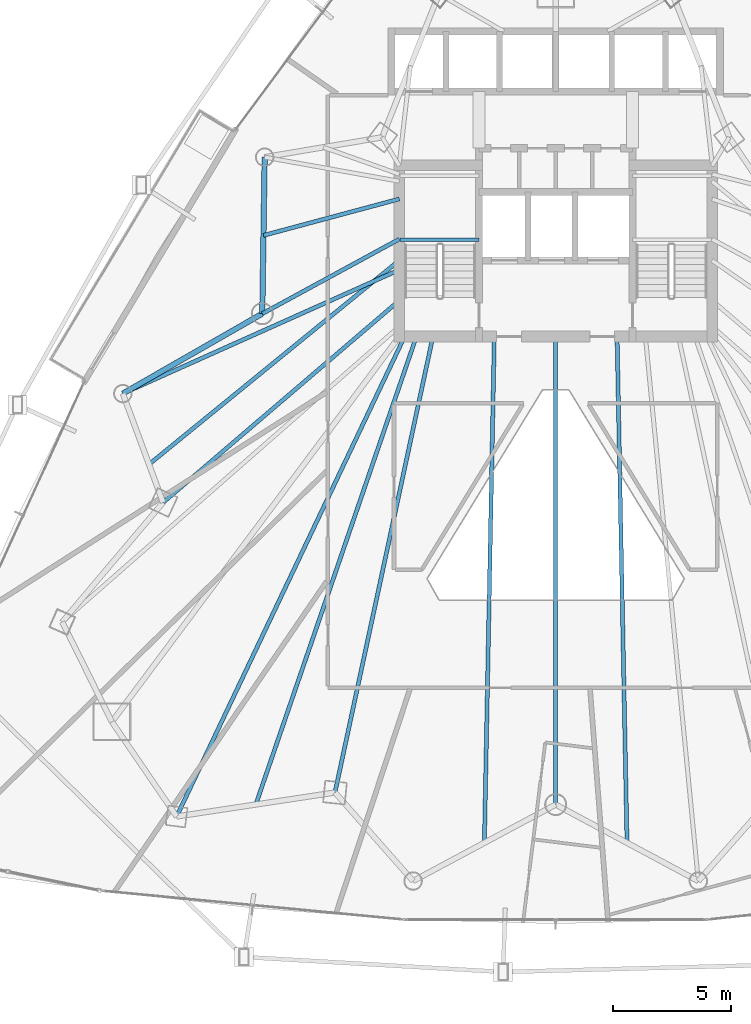
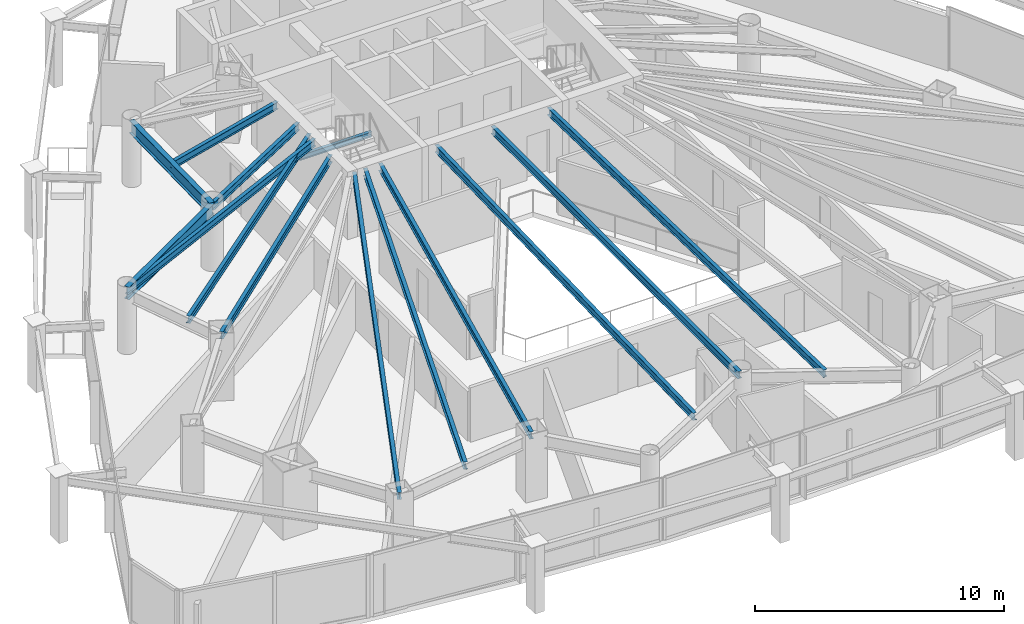
# One storey, part 11 of 33: 14 beams.
"""IFC4 building model written with IfcOpenShell, lengths in metres."""

from ifc_helpers import new_model, si_unit, direction, frame, origin, origin_2d, place, context, subcontext, project, spatial, i_section, extrude, material, material_profile, profile_set, type_object, element, save


model = new_model("IFC4")

# Units and contexts
model_context = context("Model", 3, precision=1e-05, world=origin(), true_north=direction((0.0, 1.0)))
body_context = subcontext(model_context, "Body", "Model", "MODEL_VIEW")
ifc_project = project(units=[si_unit("LENGTHUNIT", "METRE"), si_unit("AREAUNIT", "SQUARE_METRE"), si_unit("VOLUMEUNIT", "CUBIC_METRE"), si_unit("PLANEANGLEUNIT", "RADIAN"), si_unit("MASSUNIT", "GRAM", prefix="KILO")], contexts=[model_context])

# Site, building, storey
site_placement = place(None, origin())
site = spatial("IfcSite", under=ifc_project, at=site_placement, CompositionType="ELEMENT")
building_placement = place(site_placement, origin())
building = spatial("IfcBuilding", under=site, at=building_placement, Name="Orvanel Arch Residences", CompositionType="ELEMENT")
storey_placement = place(building_placement, frame((0.0, 0.0, 70.85009765625)))
storey = spatial("IfcBuildingStorey", under=building, at=storey_placement, Name="L19", CompositionType="ELEMENT", Elevation=70.85009765625)

# Beams
ifc_material = material(Name="Structural steel AS/NZS 3679.1 Grade 300 (300 MPa)", Category="steel")
ifc_material_profile_1 = material_profile(ifc_material, i_section(OverallWidth=0.14599609375, OverallDepth=0.251953125, WebThickness=0.006103515625, FlangeThickness=0.008544921875, at=origin_2d()), Name="250UB31.4")
ifc_profile_set_1 = profile_set([ifc_material_profile_1], Name="Structural steel AS/NZS 3679.1 Grade 300 (300 MPa)")
beam_type_1 = type_object("IfcBeamType", Name="BJ-250UB", PredefinedType="JOIST", material=ifc_profile_set_1)
beam_1_placement = place(storey_placement, frame((26.39990234375, 30.780029296875, 1.323974609375), z_axis=(1.0, 0.0, 0.0), x_axis=(0.0, 1.0, 0.0)))
element("IfcBeam", 1, at=beam_1_placement, inside=storey, type_object=beam_type_1, Name="L19 ST-1 Half-Landing Support Beam 1.1", PredefinedType="JOIST", context=body_context, shape_type="SweptSolid", body=[
    extrude(i_section(OverallWidth=0.14599609375, OverallDepth=0.251953125, WebThickness=0.006103515625, FlangeThickness=0.008544921875, at=origin_2d()), origin(), (0.0, 0.0, 1.0), 3.35009765625),
])
ifc_material_profile_2 = material_profile(ifc_material, i_section(OverallWidth=0.1708984375, OverallDepth=0.35595703125, WebThickness=0.00732421875, FlangeThickness=0.011474609375, at=origin_2d()), Name="360UB50.7")
ifc_profile_set_2 = profile_set([ifc_material_profile_2], Name="Structural steel AS/NZS 3679.1 Grade 300 (300 MPa)")
beam_type_2 = type_object("IfcBeamType", Name="BJ-360UB", PredefinedType="JOIST", material=ifc_profile_set_2)
beam_2_placement = place(storey_placement, frame((26.375, 30.800048828125, 2.8818359375), z_axis=(-0.878399029914, -0.477927969726, 0.0), x_axis=(0.477927969726, -0.878399029914, 0.0)))
element("IfcBeam", 2, at=beam_2_placement, inside=storey, type_object=beam_type_2, Name="L19 NW Wing Floor Joist", PredefinedType="JOIST", context=body_context, shape_type="SweptSolid", body=[
    extrude(i_section(OverallWidth=0.1708984375, OverallDepth=0.35595703125, WebThickness=0.00732421875, FlangeThickness=0.011474609375, at=origin_2d()), origin(), (0.0, 0.0, 1.0), 6.609619140625),
])
beam_3_placement = place(storey_placement, frame((26.375, 28.199951171875, 2.8818359375), z_axis=(-0.760024297953, -0.649894658018, 0.0), x_axis=(0.649894658018, -0.760024297953, 0.0)))
element("IfcBeam", 3, at=beam_3_placement, inside=storey, type_object=beam_type_2, Name="L19 W Wing Floor Joist", PredefinedType="JOIST", context=body_context, shape_type="SweptSolid", body=[
    extrude(i_section(OverallWidth=0.1708984375, OverallDepth=0.35595703125, WebThickness=0.00732421875, FlangeThickness=0.011474609375, at=origin_2d()), origin(), (0.0, 0.0, 1.0), 13.16796875),
])
beam_4_placement = place(storey_placement, frame((27.800048828125, 26.675048828125, 2.8818359375), z_axis=(-0.210066515515, -0.977687096703, 0.0), x_axis=(0.977687096703, -0.210066515515, 0.0)))
element("IfcBeam", 4, at=beam_4_placement, inside=storey, type_object=beam_type_2, Name="L19 SW Wing Floor Joist", PredefinedType="JOIST", context=body_context, shape_type="SweptSolid", body=[
    extrude(i_section(OverallWidth=0.1708984375, OverallDepth=0.35595703125, WebThickness=0.00732421875, FlangeThickness=0.011474609375, at=origin_2d()), origin(), (0.0, 0.0, 1.0), 19.760986328125),
])
beam_5_placement = place(storey_placement, frame((33.0, 26.675048828125, 2.8818359375), z_axis=(0.0, -1.0, 0.0), x_axis=(1.0, 0.0, 0.0)))
element("IfcBeam", 5, at=beam_5_placement, inside=storey, type_object=beam_type_2, Name="L19 SSW Wing Floor Joist", PredefinedType="JOIST", context=body_context, shape_type="SweptSolid", body=[
    extrude(i_section(OverallWidth=0.1708984375, OverallDepth=0.35595703125, WebThickness=0.00732421875, FlangeThickness=0.011474609375, at=origin_2d()), origin(), (0.0, 0.0, 1.0), 19.8310546875),
])
beam_6_placement = place(storey_placement, frame((26.375, 32.5, 2.8818359375), z_axis=(-0.965844838168, -0.259121107949, 0.0), x_axis=(0.259121107949, -0.965844838168, 0.0)))
element("IfcBeam", 6, at=beam_6_placement, inside=storey, type_object=beam_type_2, Name="L19 WNW Wing Floor Joist", PredefinedType="JOIST", context=body_context, shape_type="SweptSolid", body=[
    extrude(i_section(OverallWidth=0.1708984375, OverallDepth=0.35595703125, WebThickness=0.00732421875, FlangeThickness=0.011474609375, at=origin_2d()), origin(), (0.0, 0.0, 1.0), 5.95849609375),
])
for number, where, z_axis, x_axis, name in (
    (7, (30.39990234375, 26.675048828125, 2.8818359375), (-0.019617680075, -0.999807554797, 0.0), (0.999807554797, -0.019617680075, 0.0), "L19 WSW2 Wing Floor Joist"),
    (8, (35.60009765625, 26.675048828125, 2.8818359375), (0.019617680075, -0.999807554797, 0.0), (0.999807554797, 0.019617680075, 0.0), "L19 ESE2 Wing Floor Joist"),
):
    element("IfcBeam", number, at=place(storey_placement, frame(where, z_axis=z_axis, x_axis=x_axis)), inside=storey, type_object=beam_type_2, Name=name, PredefinedType="JOIST", context=body_context, shape_type="SweptSolid", body=[
        extrude(i_section(OverallWidth=0.1708984375, OverallDepth=0.35595703125, WebThickness=0.00732421875, FlangeThickness=0.011474609375, at=origin_2d()), origin(), (0.0, 0.0, 1.0), 21.455078125),
    ])
beam_7_placement = place(storey_placement, frame((26.60009765625, 26.675048828125, 2.8818359375), z_axis=(-0.429042657795, -0.903284228686, 0.0), x_axis=(0.903284228686, -0.429042657795, 0.0)))
element("IfcBeam", 9, at=beam_7_placement, inside=storey, type_object=beam_type_2, Name="L19 MSW Wing Floor Joist", PredefinedType="JOIST", context=body_context, shape_type="SweptSolid", body=[
    extrude(i_section(OverallWidth=0.1708984375, OverallDepth=0.35595703125, WebThickness=0.00732421875, FlangeThickness=0.011474609375, at=origin_2d()), origin(), (0.0, 0.0, 1.0), 22.513427734375),
])
beam_8_placement = place(storey_placement, frame((26.375, 29.5, 2.8818359375), z_axis=(-0.912704378681, -0.408620505038, 0.0), x_axis=(0.408620505038, -0.912704378681, 0.0)))
element("IfcBeam", 10, at=beam_8_placement, inside=storey, type_object=beam_type_2, Name="L19 LSW Wing Floor Joist", PredefinedType="JOIST", context=body_context, shape_type="SweptSolid", body=[
    extrude(i_section(OverallWidth=0.1708984375, OverallDepth=0.35595703125, WebThickness=0.00732421875, FlangeThickness=0.011474609375, at=origin_2d()), origin(), (0.0, 0.0, 1.0), 12.833251953125),
])
beam_9_placement = place(storey_placement, frame((26.375, 29.89990234375, 2.8818359375), z_axis=(-0.775173162495, -0.631748817291, 0.0), x_axis=(0.631748817291, -0.775173162495, 0.0)))
element("IfcBeam", 11, at=beam_9_placement, inside=storey, type_object=beam_type_2, Name="L19 CTW Wing Floor Joist", PredefinedType="JOIST", context=body_context, shape_type="SweptSolid", body=[
    extrude(i_section(OverallWidth=0.1708984375, OverallDepth=0.35595703125, WebThickness=0.00732421875, FlangeThickness=0.011474609375, at=origin_2d()), origin(), (0.0, 0.0, 1.0), 13.680908203125),
])
beam_10_placement = place(storey_placement, frame((27.10009765625, 26.675048828125, 2.8818359375), z_axis=(-0.324621456495, -0.945844019901, 0.0), x_axis=(0.945844019901, -0.324621456495, 0.0)))
element("IfcBeam", 12, at=beam_10_placement, inside=storey, type_object=beam_type_2, Name="L19 JADD1 Wing Floor Joist", PredefinedType="JOIST", context=body_context, shape_type="SweptSolid", body=[
    extrude(i_section(OverallWidth=0.1708984375, OverallDepth=0.35595703125, WebThickness=0.00732421875, FlangeThickness=0.011474609375, at=origin_2d()), origin(), (0.0, 0.0, 1.0), 20.96337890625),
])
ifc_material_profile_3 = material_profile(ifc_material, i_section(OverallWidth=0.22900390625, OverallDepth=0.612060546875, WebThickness=0.011962890625, FlangeThickness=0.01953125, at=origin_2d()), Name="610UB125")
ifc_profile_set_3 = profile_set([ifc_material_profile_3], Name="Structural steel AS/NZS 3679.1 Grade 300 (300 MPa)")
beam_type_3 = type_object("IfcBeamType", Name="SP-610UB", PredefinedType="SPANDREL", material=ifc_profile_set_3)
beam_11_placement = place(storey_placement, frame((20.669921875, 34.27099609375, 2.75390625), z_axis=(-0.015206666874, -0.999884371956, 0.0), x_axis=(0.999884371956, -0.015206666874, 0.0)))
element("IfcBeam", 13, at=beam_11_placement, inside=storey, type_object=beam_type_3, Name="L19 Perimeter Spandrel Beam 20", PredefinedType="SPANDREL", context=body_context, shape_type="SweptSolid", body=[
    extrude(i_section(OverallWidth=0.22900390625, OverallDepth=0.612060546875, WebThickness=0.011962890625, FlangeThickness=0.01953125, at=origin_2d()), origin(), (0.0, 0.0, 1.0), 6.630615234375),
])
beam_12_placement = place(storey_placement, frame((20.569091796875, 27.64111328125, 2.75390625), z_axis=(-0.867635629025, -0.497200578485, 0.0), x_axis=(0.497200578485, -0.867635629025, 0.0)))
element("IfcBeam", 14, at=beam_12_placement, inside=storey, type_object=beam_type_3, Name="L19 Perimeter Spandrel Beam 21", PredefinedType="SPANDREL", context=body_context, shape_type="SweptSolid", body=[
    extrude(i_section(OverallWidth=0.22900390625, OverallDepth=0.612060546875, WebThickness=0.011962890625, FlangeThickness=0.01953125, at=origin_2d()), origin(), (0.0, 0.0, 1.0), 6.80810546875),
])

save(model, "model.ifc")
